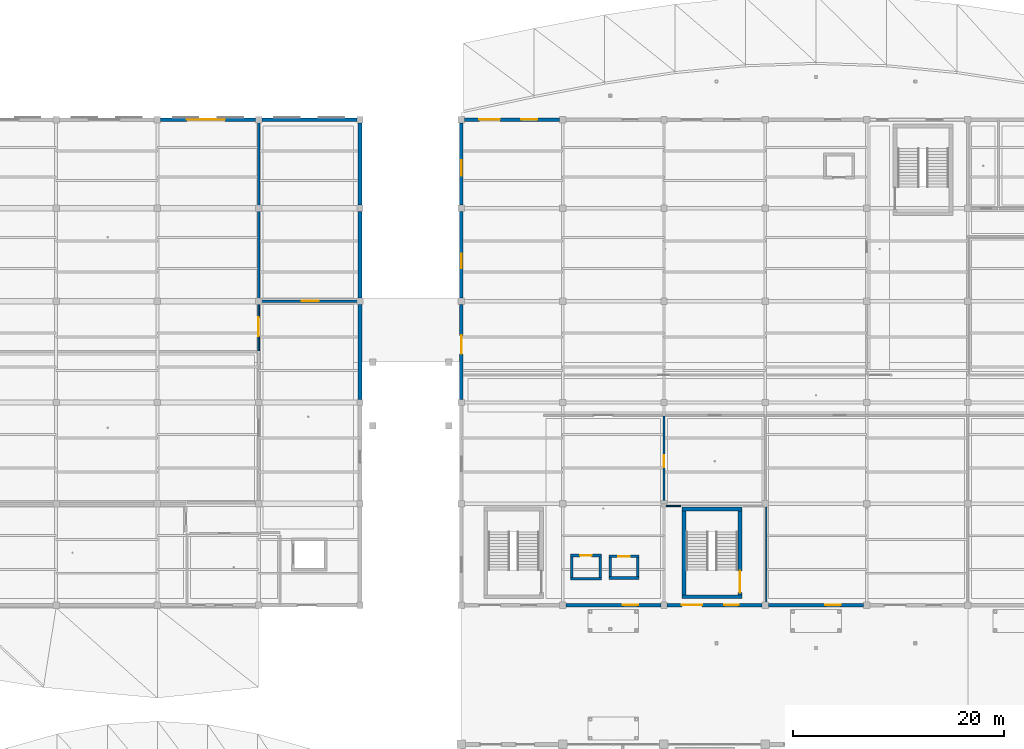
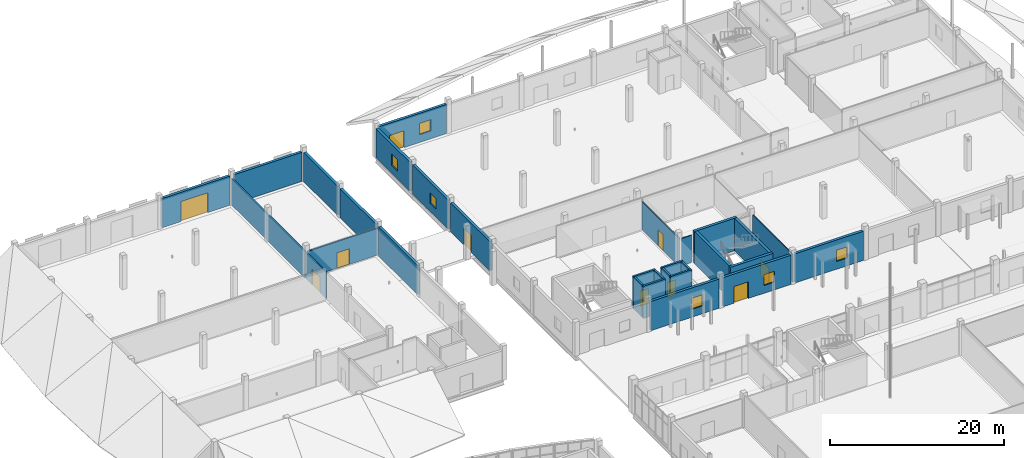
# One storey, part 82 of 116: 30 walls, 10 doors, 6 windows, 16 openings.
"""IFC4 building model written with IfcOpenShell, lengths in metres."""

from ifc_helpers import new_model, si_unit, direction, frame, frame_2d, origin, place, context, subcontext, project, spatial, rectangle, extrude, material, layer, layer_set, type_object, element, fill, save


model = new_model("IFC4")

# Units and contexts
model_context = context("Model", 3, precision=1e-05, world=origin(), true_north=direction((0.0, 1.0)))
body_context = subcontext(model_context, "Body", "Model", "MODEL_VIEW")
ifc_project = project(units=[si_unit("LENGTHUNIT", "METRE"), si_unit("AREAUNIT", "SQUARE_METRE"), si_unit("VOLUMEUNIT", "CUBIC_METRE"), si_unit("PLANEANGLEUNIT", "RADIAN"), si_unit("MASSUNIT", "GRAM", prefix="KILO")], contexts=[model_context])

# Site, building, storey
site_placement = place(None, origin())
site = spatial("IfcSite", under=ifc_project, at=site_placement, CompositionType="ELEMENT")
building_placement = place(site_placement, origin())
building = spatial("IfcBuilding", under=site, at=building_placement, Name="Chalmorin Arch Market", CompositionType="ELEMENT")
storey_placement = place(building_placement, origin())
storey = spatial("IfcBuildingStorey", under=building, at=storey_placement, Name="L00", CompositionType="ELEMENT", Elevation=0.0)

# Walls
ifc_material_1 = material(Name="Concrete C40/50", Category="concrete")
ifc_layer_1 = layer(ifc_material_1, 0.35009765625)
ifc_layer_set_1 = layer_set([ifc_layer_1], Name="Concrete C40/50")
wall_type_1 = type_object("IfcWallType", Name="CoreShearWall-350", PredefinedType="SHEAR", material=ifc_layer_set_1)
for number, where, z_axis, x_axis, name in (
    (1, (74.574951171875, 72.800048828125, 0.0), (0.0, 0.0, 1.0), (-1.0, 0.0, 0.0), "CSW-350-109"),
    (2, (68.925048828125, 81.10009765625, 0.0), (0.0, 0.0, 1.0), (1.0, 0.0, 0.0), "CSW-350-110"),
):
    element("IfcWall", number, at=place(storey_placement, frame(where, z_axis=z_axis, x_axis=x_axis)), inside=storey, type_object=wall_type_1, Name=name, PredefinedType="SHEAR", context=body_context, shape_type="SweptSolid", body=[
        extrude(rectangle(XDim=5.64990234375, YDim=0.35009765625, at=frame_2d((2.824951171875, 0.0))), origin(), (0.0, 0.0, 1.0), 4.550048828125),
    ])
wall_1_placement = place(storey_placement, frame((69.10009765625, 72.97509765625, 0.0), z_axis=(0.0, 0.0, 1.0), x_axis=(0.0, 1.0, 0.0)))
element("IfcWall", 3, at=wall_1_placement, inside=storey, type_object=wall_type_1, Name="CSW-350-111", PredefinedType="SHEAR", context=body_context, shape_type="SweptSolid", body=[
    extrude(rectangle(XDim=7.949951171875, YDim=0.35009765625, at=frame_2d((3.97509765625, 0.0))), origin(), (0.0, 0.0, 1.0), 4.550048828125),
])

# Wall, opening, door
wall_2_placement = place(storey_placement, frame((74.39990234375, 80.925048828125, 0.0), z_axis=(0.0, 0.0, 1.0), x_axis=(0.0, -1.0, 0.0)))
wall_2 = element("IfcWall", 4, at=wall_2_placement, inside=storey, type_object=wall_type_1, Name="CSW-350-112", PredefinedType="SHEAR", context=body_context, shape_type="SweptSolid", body=[
    extrude(rectangle(XDim=7.949951171875, YDim=0.35009765625, at=frame_2d((3.97509765625, 0.0))), origin(), (0.0, 0.0, 1.0), 4.550048828125),
])
opening_1_placement = place(wall_2_placement, frame((5.679931640625, 0.0, 0.0)))
opening_1 = element("IfcOpeningElement", 5, at=opening_1_placement, cuts=wall_2, Name="Opening FD-SC7-L00", PredefinedType="OPENING", context=body_context, shape_type="SweptSolid", body=[
    extrude(rectangle(XDim=2.050048828125, YDim=2.14990234375, at=frame_2d((1.02490234375, 1.074951171875))), frame((0.0, 0.18505859375, 0.0), z_axis=(0.0, -1.0, 0.0), x_axis=(1.0, 0.0, 0.0)), (0.0, 0.0, 1.0), 0.3701171875),
])
ifc_material_2 = material(Name="Galvanised Steel", Category="steel")
door_type_1 = type_object("IfcDoorType", Name="DoubleFireExitDoor-2050x2150", OperationType="DOUBLE_DOOR_SINGLE_SWING", PredefinedType="DOOR", material=ifc_material_2)
door_1_placement = place(opening_1_placement, origin())
door_1 = element("IfcDoor", 6, at=door_1_placement, inside=storey, type_object=door_type_1, Name="FD-SC7-L00", OperationType="DOUBLE_DOOR_SINGLE_SWING", OverallHeight=2.14990234375, OverallWidth=2.050048828125, PredefinedType="DOOR", context=body_context, shape_type="SweptSolid", body=[
    extrude(rectangle(XDim=2.050048828125, YDim=2.14990234375, at=frame_2d((1.02490234375, 1.074951171875))), frame((0.0, 0.02490234375, 0.0), z_axis=(0.0, -1.0, 0.0), x_axis=(1.0, 0.0, 0.0)), (0.0, 0.0, 1.0), 0.050048828125),
])
fill(opening_1, door_1)

ifc_material_3 = material(Name="Gypsum Board Partition")
ifc_layer_2 = layer(ifc_material_3, 0.159912109375)
ifc_layer_set_2 = layer_set([ifc_layer_2], Name="Gypsum Board Partition")
wall_type_2 = type_object("IfcWallType", Name="CorridorRatedPartition-160", PredefinedType="PARTITIONING", material=ifc_layer_set_2)
wall_3_placement = place(storey_placement, frame((28.800048828125, 96.10009765625, 0.0), z_axis=(0.0, 0.0, 1.0), x_axis=(0.0, 1.0, 0.0)))
wall_3 = element("IfcWall", 7, at=wall_3_placement, inside=storey, type_object=wall_type_2, Name="CRP-160-434", PredefinedType="PARTITIONING", context=body_context, shape_type="SweptSolid", body=[
    extrude(rectangle(XDim=4.599853515625, YDim=0.159912109375, at=frame_2d((2.2998046875, 0.0))), origin(), (0.0, 0.0, 1.0), 3.68994140625),
])
opening_2_placement = place(wall_3_placement, frame((1.39990234375, 0.0, 0.0)))
opening_2 = element("IfcOpeningElement", 8, at=opening_2_placement, cuts=wall_3, Name="Opening ID-124", PredefinedType="OPENING", context=body_context, shape_type="SweptSolid", body=[
    extrude(rectangle(XDim=1.800048828125, YDim=2.14990234375, at=frame_2d((0.89990234375, 1.074951171875))), frame((0.0, 0.08984375, 0.0), z_axis=(0.0, -1.0, 0.0), x_axis=(1.0, 0.0, 0.0)), (0.0, 0.0, 1.0), 0.179931640625),
])
door_type_2 = type_object("IfcDoorType", Name="CorridorFireDoubleDoor-1800x2150", OperationType="DOUBLE_DOOR_SINGLE_SWING", PredefinedType="DOOR", material=ifc_material_2)
door_2_placement = place(opening_2_placement, origin())
door_2 = element("IfcDoor", 9, at=door_2_placement, inside=storey, type_object=door_type_2, Name="ID-124", OperationType="DOUBLE_DOOR_SINGLE_SWING", OverallHeight=2.14990234375, OverallWidth=1.800048828125, PredefinedType="DOOR", context=body_context, shape_type="SweptSolid", body=[
    extrude(rectangle(XDim=1.800048828125, YDim=2.14990234375, at=frame_2d((0.89990234375, 1.074951171875))), frame((0.0, 0.02490234375, 0.0), z_axis=(0.0, -1.0, 0.0), x_axis=(1.0, 0.0, 0.0)), (0.0, 0.0, 1.0), 0.050048828125),
])
fill(opening_2, door_2)

wall_4_placement = place(storey_placement, frame((67.199951171875, 81.39990234375, 0.0), z_axis=(0.0, 0.0, 1.0), x_axis=(0.0, 1.0, 0.0)))
wall_4 = element("IfcWall", 10, at=wall_4_placement, inside=storey, type_object=wall_type_2, Name="CRP-160-440", PredefinedType="PARTITIONING", context=body_context, shape_type="SweptSolid", body=[
    extrude(rectangle(XDim=8.5, YDim=0.159912109375, at=frame_2d((4.25, 0.0))), origin(), (0.0, 0.0, 1.0), 3.919921875),
])
opening_3_placement = place(wall_4_placement, frame((3.675048828125, 0.0, 0.0)))
opening_3 = element("IfcOpeningElement", 11, at=opening_3_placement, cuts=wall_4, Name="Opening ID-127", PredefinedType="OPENING", context=body_context, shape_type="SweptSolid", body=[
    extrude(rectangle(XDim=1.14990234375, YDim=2.199951171875, at=frame_2d((0.574951171875, 1.10009765625))), frame((0.0, 0.08984375, 0.0), z_axis=(0.0, -1.0, 0.0), x_axis=(1.0, 0.0, 0.0)), (0.0, 0.0, 1.0), 0.179931640625),
])
door_type_3 = type_object("IfcDoorType", Name="WorkshopHeavyDoor-1150x2200", OperationType="NOTDEFINED", PredefinedType="DOOR", material=ifc_material_2)
door_3_placement = place(opening_3_placement, origin())
door_3 = element("IfcDoor", 12, at=door_3_placement, inside=storey, type_object=door_type_3, Name="ID-127", OperationType="SINGLE_SWING_LEFT", OverallHeight=2.199951171875, OverallWidth=1.14990234375, PredefinedType="DOOR", context=body_context, shape_type="SweptSolid", body=[
    extrude(rectangle(XDim=1.14990234375, YDim=2.199951171875, at=frame_2d((0.574951171875, 1.10009765625))), frame((0.0, 0.02490234375, 0.0), z_axis=(0.0, -1.0, 0.0), x_axis=(1.0, 0.0, 0.0)), (0.0, 0.0, 1.0), 0.050048828125),
])
fill(opening_3, door_3)

# Walls
ifc_material_4 = material(Name="Powder-coated Aluminium Panel", Category="aluminium")
ifc_layer_3 = layer(ifc_material_4, 0.125)
ifc_layer_set_3 = layer_set([ifc_layer_3], Name="Powder-coated Aluminium Panel")
wall_type_3 = type_object("IfcWallType", Name="DemountableStudStallPartition-125", PredefinedType="PARTITIONING", material=ifc_layer_set_3)
wall_5_placement = place(storey_placement, frame((67.43994140625, 81.39990234375, 0.0), z_axis=(0.0, 0.0, 1.0), x_axis=(1.0, 0.0, 0.0)))
element("IfcWall", 13, at=wall_5_placement, inside=storey, type_object=wall_type_3, Name="DSP-125-470", PredefinedType="PARTITIONING", context=body_context, shape_type="SweptSolid", body=[
    extrude(rectangle(XDim=1.344970703125, YDim=0.125, at=frame_2d((0.67236328125, 0.0))), origin(), (0.0, 0.0, 1.0), 3.841064453125),
])
wall_6_placement = place(storey_placement, frame((76.89990234375, 72.050048828125, 0.0), z_axis=(0.0, 0.0, 1.0), x_axis=(0.0, 1.0, 0.0)))
element("IfcWall", 14, at=wall_6_placement, inside=storey, type_object=wall_type_3, Name="DSP-125-472", PredefinedType="PARTITIONING", context=body_context, shape_type="SweptSolid", body=[
    extrude(rectangle(XDim=9.2099609375, YDim=0.125, at=frame_2d((4.60498046875, 0.0))), origin(), (0.0, 0.0, 1.0), 3.919921875),
])
ifc_material_5 = material(Name="Concrete C30/37", Category="concrete")
ifc_layer_4 = layer(ifc_material_5, 0.199951171875)
ifc_layer_set_4 = layer_set([ifc_layer_4], Name="Concrete C30/37")
wall_type_4 = type_object("IfcWallType", Name="FireCompartmentWall-200", PredefinedType="PARTITIONING", material=ifc_layer_set_4)
wall_7_placement = place(storey_placement, frame((28.800048828125, 100.89990234375, 0.0), z_axis=(0.0, 0.0, 1.0), x_axis=(0.0, 1.0, 0.0)))
element("IfcWall", 15, at=wall_7_placement, inside=storey, type_object=wall_type_4, Name="FCW-200-433", PredefinedType="PARTITIONING", context=body_context, shape_type="SweptSolid", body=[
    extrude(rectangle(XDim=17.050048828125, YDim=0.199951171875, at=frame_2d((8.52490234375, 0.0))), origin(), (0.0, 0.0, 1.0), 3.68994140625),
])

# Wall, opening, door
wall_8_placement = place(storey_placement, frame((29.0, 100.800048828125, 0.0), z_axis=(0.0, 0.0, 1.0), x_axis=(1.0, 0.0, 0.0)))
wall_8 = element("IfcWall", 16, at=wall_8_placement, inside=storey, type_object=wall_type_4, Name="FCW-200-439", PredefinedType="PARTITIONING", context=body_context, shape_type="SweptSolid", body=[
    extrude(rectangle(XDim=9.35009765625, YDim=0.199951171875, at=frame_2d((4.675048828125, 0.0))), origin(), (0.0, 0.0, 1.0), 3.75),
])
opening_4_placement = place(wall_8_placement, frame((3.875, 0.0, 0.0)))
opening_4 = element("IfcOpeningElement", 17, at=opening_4_placement, cuts=wall_8, Name="Opening ID-126", PredefinedType="OPENING", context=body_context, shape_type="SweptSolid", body=[
    extrude(rectangle(XDim=1.60009765625, YDim=2.199951171875, at=frame_2d((0.800048828125, 1.10009765625))), frame((0.0, 0.10986328125, 0.0), z_axis=(0.0, -1.0, 0.0), x_axis=(1.0, 0.0, 0.0)), (0.0, 0.0, 1.0), 0.219970703125),
])
door_type_4 = type_object("IfcDoorType", Name="PlantRoomDoubleSteelDoor-1600x2200", OperationType="DOUBLE_DOOR_SINGLE_SWING", PredefinedType="DOOR", material=ifc_material_2)
door_4_placement = place(opening_4_placement, origin())
door_4 = element("IfcDoor", 18, at=door_4_placement, inside=storey, type_object=door_type_4, Name="ID-126", OperationType="DOUBLE_DOOR_SINGLE_SWING", OverallHeight=2.199951171875, OverallWidth=1.60009765625, PredefinedType="DOOR", context=body_context, shape_type="SweptSolid", body=[
    extrude(rectangle(XDim=1.60009765625, YDim=2.199951171875, at=frame_2d((0.800048828125, 1.10009765625))), frame((0.0, 0.02490234375, 0.0), z_axis=(0.0, -1.0, 0.0), x_axis=(1.0, 0.0, 0.0)), (0.0, 0.0, 1.0), 0.050048828125),
])
fill(opening_4, door_4)

# Wall, openings, door, window
ifc_material_6 = material(Name="Concrete C35/45", Category="concrete")
ifc_layer_5 = layer(ifc_material_6, 0.35009765625)
ifc_layer_set_5 = layer_set([ifc_layer_5], Name="Concrete C35/45")
wall_type_5 = type_object("IfcWallType", Name="PlinthPerimeterWall-350", PredefinedType="SOLIDWALL", material=ifc_layer_set_5)
wall_9_placement = place(storey_placement, frame((48.300048828125, 118.0, 0.0), z_axis=(0.0, 0.0, 1.0), x_axis=(1.0, 0.0, 0.0)))
wall_9 = element("IfcWall", 19, at=wall_9_placement, inside=storey, type_object=wall_type_5, Name="PPW-350-179", PredefinedType="SOLIDWALL", context=body_context, shape_type="SweptSolid", body=[
    extrude(rectangle(XDim=9.0, YDim=0.35009765625, at=frame_2d((4.5, 0.0))), origin(), (0.0, 0.0, 1.0), 4.10009765625),
])
opening_5_placement = place(wall_9_placement, frame((1.39990234375, 0.0, 0.0)))
opening_5 = element("IfcOpeningElement", 20, at=opening_5_placement, cuts=wall_9, Name="Opening ED-041", PredefinedType="OPENING", context=body_context, shape_type="SweptSolid", body=[
    extrude(rectangle(XDim=1.9599609375, YDim=2.3701171875, at=frame_2d((0.97998046875, 1.18505859375))), frame((0.0, 0.18505859375, 0.0), z_axis=(0.0, -1.0, 0.0), x_axis=(1.0, 0.0, 0.0)), (0.0, 0.0, 1.0), 0.3701171875),
])
opening_6_placement = place(wall_9_placement, frame((5.39990234375, 0.0, 1.10009765625)))
opening_6 = element("IfcOpeningElement", 21, at=opening_6_placement, cuts=wall_9, Name="Opening WN-100", PredefinedType="OPENING", context=body_context, shape_type="SweptSolid", body=[
    extrude(rectangle(XDim=1.5, YDim=1.60009765625, at=frame_2d((0.75, 0.800048828125))), frame((0.0, 0.18505859375, 0.0), z_axis=(0.0, -1.0, 0.0), x_axis=(1.0, 0.0, 0.0)), (0.0, 0.0, 1.0), 0.3701171875),
])
ifc_material_7 = material(Name="Aluminium 6063-T6", Category="aluminium")
door_type_5 = type_object("IfcDoorType", Name="DoubleStorefrontDoor-2000x2400-1960x2370", OperationType="DOUBLE_DOOR_SINGLE_SWING", PredefinedType="DOOR", material=ifc_material_7)
door_5_placement = place(opening_5_placement, origin())
door_5 = element("IfcDoor", 22, at=door_5_placement, inside=storey, type_object=door_type_5, Name="ED-041", OperationType="DOUBLE_DOOR_SINGLE_SWING", OverallHeight=2.3701171875, OverallWidth=1.9599609375, PredefinedType="DOOR", context=body_context, shape_type="SweptSolid", body=[
    extrude(rectangle(XDim=1.9599609375, YDim=2.3701171875, at=frame_2d((0.97998046875, 1.18505859375))), frame((0.0, 0.02490234375, 0.0), z_axis=(0.0, -1.0, 0.0), x_axis=(1.0, 0.0, 0.0)), (0.0, 0.0, 1.0), 0.050048828125),
])
fill(opening_5, door_5)
ifc_material_8 = material(Name="Low-E Tempered Glass", Category="glass")
window_type_1 = type_object("IfcWindowType", Name="WorkshopPunchedWindow-1500x1600", PartitioningType="SINGLE_PANEL", PredefinedType="WINDOW", material=ifc_material_8)
window_1_placement = place(opening_6_placement, origin())
window_1 = element("IfcWindow", 23, at=window_1_placement, inside=storey, type_object=window_type_1, Name="WN-100", OverallHeight=1.60009765625, OverallWidth=1.5, PartitioningType="SINGLE_PANEL", PredefinedType="WINDOW", context=body_context, shape_type="SweptSolid", body=[
    extrude(rectangle(XDim=1.5, YDim=1.60009765625, at=frame_2d((0.75, 0.800048828125))), frame((0.0, 0.030029296875, 0.0), z_axis=(0.0, -1.0, 0.0), x_axis=(1.0, 0.0, 0.0)), (0.0, 0.0, 1.0), 0.06005859375),
])
fill(opening_6, window_1)

# Wall, opening, window
wall_10_placement = place(storey_placement, frame((57.89990234375, 72.0, 0.0), z_axis=(0.0, 0.0, 1.0), x_axis=(1.0, 0.0, 0.0)))
wall_10 = element("IfcWall", 24, at=wall_10_placement, inside=storey, type_object=wall_type_5, Name="PPW-350-180", PredefinedType="SOLIDWALL", context=body_context, shape_type="SweptSolid", body=[
    extrude(rectangle(XDim=9.0, YDim=0.35009765625, at=frame_2d((4.5, 0.0))), origin(), (0.0, 0.0, 1.0), 4.10009765625),
])
opening_7_placement = place(wall_10_placement, frame((5.39990234375, 0.0, 1.10009765625)))
opening_7 = element("IfcOpeningElement", 25, at=opening_7_placement, cuts=wall_10, Name="Opening WN-101", PredefinedType="OPENING", context=body_context, shape_type="SweptSolid", body=[
    extrude(rectangle(XDim=1.4599609375, YDim=1.570068359375, at=frame_2d((0.72998046875, 0.78515625))), frame((0.0, 0.18505859375, 0.0), z_axis=(0.0, -1.0, 0.0), x_axis=(1.0, 0.0, 0.0)), (0.0, 0.0, 1.0), 0.3701171875),
])
window_type_2 = type_object("IfcWindowType", Name="WorkshopPunchedWindow-1500x1600-1460x1570", PartitioningType="SINGLE_PANEL", PredefinedType="WINDOW", material=ifc_material_8)
window_2_placement = place(opening_7_placement, origin())
window_2 = element("IfcWindow", 26, at=window_2_placement, inside=storey, type_object=window_type_2, Name="WN-101", OverallHeight=1.570068359375, OverallWidth=1.4599609375, PartitioningType="SINGLE_PANEL", PredefinedType="WINDOW", context=body_context, shape_type="SweptSolid", body=[
    extrude(rectangle(XDim=1.4599609375, YDim=1.570068359375, at=frame_2d((0.72998046875, 0.78515625))), frame((0.0, 0.030029296875, 0.0), z_axis=(0.0, -1.0, 0.0), x_axis=(1.0, 0.0, 0.0)), (0.0, 0.0, 1.0), 0.06005859375),
])
fill(opening_7, window_2)

# Wall, openings, door, window
wall_11_placement = place(storey_placement, frame((67.5, 72.0, 0.0), z_axis=(0.0, 0.0, 1.0), x_axis=(1.0, 0.0, 0.0)))
wall_11 = element("IfcWall", 27, at=wall_11_placement, inside=storey, type_object=wall_type_5, Name="PPW-350-182", PredefinedType="SOLIDWALL", context=body_context, shape_type="SweptSolid", body=[
    extrude(rectangle(XDim=9.0, YDim=0.35009765625, at=frame_2d((4.5, 0.0))), origin(), (0.0, 0.0, 1.0), 4.10009765625),
])
opening_8_placement = place(wall_11_placement, frame((1.39990234375, 0.0, 0.0)))
opening_8 = element("IfcOpeningElement", 28, at=opening_8_placement, cuts=wall_11, Name="Opening ED-042", PredefinedType="OPENING", context=body_context, shape_type="SweptSolid", body=[
    extrude(rectangle(XDim=1.919921875, YDim=2.340087890625, at=frame_2d((0.9599609375, 1.169921875))), frame((0.0, 0.18505859375, 0.0), z_axis=(0.0, -1.0, 0.0), x_axis=(1.0, 0.0, 0.0)), (0.0, 0.0, 1.0), 0.3701171875),
])
opening_9_placement = place(wall_11_placement, frame((5.39990234375, 0.0, 1.10009765625)))
opening_9 = element("IfcOpeningElement", 29, at=opening_9_placement, cuts=wall_11, Name="Opening WN-103", PredefinedType="OPENING", context=body_context, shape_type="SweptSolid", body=[
    extrude(rectangle(XDim=1.3798828125, YDim=1.510009765625, at=frame_2d((0.68994140625, 0.7548828125))), frame((0.0, 0.18505859375, 0.0), z_axis=(0.0, -1.0, 0.0), x_axis=(1.0, 0.0, 0.0)), (0.0, 0.0, 1.0), 0.3701171875),
])
door_type_6 = type_object("IfcDoorType", Name="DoubleStorefrontDoor-2000x2400-1920x2340", OperationType="DOUBLE_DOOR_SINGLE_SWING", PredefinedType="DOOR", material=ifc_material_7)
door_6_placement = place(opening_8_placement, origin())
door_6 = element("IfcDoor", 30, at=door_6_placement, inside=storey, type_object=door_type_6, Name="ED-042", OperationType="DOUBLE_DOOR_SINGLE_SWING", OverallHeight=2.340087890625, OverallWidth=1.919921875, PredefinedType="DOOR", context=body_context, shape_type="SweptSolid", body=[
    extrude(rectangle(XDim=1.919921875, YDim=2.340087890625, at=frame_2d((0.9599609375, 1.169921875))), frame((0.0, 0.02490234375, 0.0), z_axis=(0.0, -1.0, 0.0), x_axis=(1.0, 0.0, 0.0)), (0.0, 0.0, 1.0), 0.050048828125),
])
fill(opening_8, door_6)
window_type_3 = type_object("IfcWindowType", Name="WorkshopPunchedWindow-1500x1600-1380x1510", PartitioningType="SINGLE_PANEL", PredefinedType="WINDOW", material=ifc_material_8)
window_3_placement = place(opening_9_placement, origin())
window_3 = element("IfcWindow", 31, at=window_3_placement, inside=storey, type_object=window_type_3, Name="WN-103", OverallHeight=1.510009765625, OverallWidth=1.3798828125, PartitioningType="SINGLE_PANEL", PredefinedType="WINDOW", context=body_context, shape_type="SweptSolid", body=[
    extrude(rectangle(XDim=1.3798828125, YDim=1.510009765625, at=frame_2d((0.68994140625, 0.7548828125))), frame((0.0, 0.030029296875, 0.0), z_axis=(0.0, -1.0, 0.0), x_axis=(1.0, 0.0, 0.0)), (0.0, 0.0, 1.0), 0.06005859375),
])
fill(opening_9, window_3)

# Wall, opening, window
wall_12_placement = place(storey_placement, frame((77.10009765625, 72.0, 0.0), z_axis=(0.0, 0.0, 1.0), x_axis=(1.0, 0.0, 0.0)))
wall_12 = element("IfcWall", 32, at=wall_12_placement, inside=storey, type_object=wall_type_5, Name="PPW-350-184", PredefinedType="SOLIDWALL", context=body_context, shape_type="SweptSolid", body=[
    extrude(rectangle(XDim=9.0, YDim=0.35009765625, at=frame_2d((4.5, 0.0))), origin(), (0.0, 0.0, 1.0), 4.10009765625),
])
opening_10_placement = place(wall_12_placement, frame((5.39990234375, 0.0, 1.10009765625)))
opening_10 = element("IfcOpeningElement", 33, at=opening_10_placement, cuts=wall_12, Name="Opening WN-105", PredefinedType="OPENING", context=body_context, shape_type="SweptSolid", body=[
    extrude(rectangle(XDim=1.4599609375, YDim=1.570068359375, at=frame_2d((0.72998046875, 0.78515625))), frame((0.0, 0.18505859375, 0.0), z_axis=(0.0, -1.0, 0.0), x_axis=(1.0, 0.0, 0.0)), (0.0, 0.0, 1.0), 0.3701171875),
])
window_4_placement = place(opening_10_placement, origin())
window_4 = element("IfcWindow", 34, at=window_4_placement, inside=storey, type_object=window_type_2, Name="WN-105", OverallHeight=1.570068359375, OverallWidth=1.4599609375, PartitioningType="SINGLE_PANEL", PredefinedType="WINDOW", context=body_context, shape_type="SweptSolid", body=[
    extrude(rectangle(XDim=1.4599609375, YDim=1.570068359375, at=frame_2d((0.72998046875, 0.78515625))), frame((0.0, 0.030029296875, 0.0), z_axis=(0.0, -1.0, 0.0), x_axis=(1.0, 0.0, 0.0)), (0.0, 0.0, 1.0), 0.06005859375),
])
fill(opening_10, window_4)

# Wall, opening, door
wall_13_placement = place(storey_placement, frame((48.0, 91.5, 0.0), z_axis=(0.0, 0.0, 1.0), x_axis=(0.0, 1.0, 0.0)))
wall_13 = element("IfcWall", 35, at=wall_13_placement, inside=storey, type_object=wall_type_5, Name="PPW-350-198", PredefinedType="SOLIDWALL", context=body_context, shape_type="SweptSolid", body=[
    extrude(rectangle(XDim=9.0, YDim=0.35009765625, at=frame_2d((4.5, 0.0))), origin(), (0.0, 0.0, 1.0), 4.10009765625),
])
opening_11_placement = place(wall_13_placement, frame((4.300048828125, 0.0, 0.0)))
opening_11 = element("IfcOpeningElement", 36, at=opening_11_placement, cuts=wall_13, Name="Opening ED-049", PredefinedType="OPENING", context=body_context, shape_type="SweptSolid", body=[
    extrude(rectangle(XDim=1.760009765625, YDim=2.3701171875, at=frame_2d((0.8798828125, 1.18505859375))), frame((0.0, 0.18505859375, 0.0), z_axis=(0.0, -1.0, 0.0), x_axis=(1.0, 0.0, 0.0)), (0.0, 0.0, 1.0), 0.3701171875),
])
door_type_7 = type_object("IfcDoorType", Name="DoubleStorefrontDoor-1800x2400-1760x2370", OperationType="DOUBLE_DOOR_SINGLE_SWING", PredefinedType="DOOR", material=ifc_material_7)
door_7_placement = place(opening_11_placement, origin())
door_7 = element("IfcDoor", 37, at=door_7_placement, inside=storey, type_object=door_type_7, Name="ED-049", OperationType="DOUBLE_DOOR_SINGLE_SWING", OverallHeight=2.3701171875, OverallWidth=1.760009765625, PredefinedType="DOOR", context=body_context, shape_type="SweptSolid", body=[
    extrude(rectangle(XDim=1.760009765625, YDim=2.3701171875, at=frame_2d((0.8798828125, 1.18505859375))), frame((0.0, 0.02490234375, 0.0), z_axis=(0.0, -1.0, 0.0), x_axis=(1.0, 0.0, 0.0)), (0.0, 0.0, 1.0), 0.050048828125),
])
fill(opening_11, door_7)

# Wall, opening, window
wall_14_placement = place(storey_placement, frame((48.0, 101.10009765625, 0.0), z_axis=(0.0, 0.0, 1.0), x_axis=(0.0, 1.0, 0.0)))
wall_14 = element("IfcWall", 38, at=wall_14_placement, inside=storey, type_object=wall_type_5, Name="PPW-350-202", PredefinedType="SOLIDWALL", context=body_context, shape_type="SweptSolid", body=[
    extrude(rectangle(XDim=8.199951171875, YDim=0.35009765625, at=frame_2d((4.10009765625, 0.0))), origin(), (0.0, 0.0, 1.0), 4.10009765625),
])
opening_12_placement = place(wall_14_placement, frame((2.800048828125, 0.0, 1.14990234375)))
opening_12 = element("IfcOpeningElement", 39, at=opening_12_placement, cuts=wall_14, Name="Opening WN-119", PredefinedType="OPENING", context=body_context, shape_type="SweptSolid", body=[
    extrude(rectangle(XDim=1.3798828125, YDim=1.510009765625, at=frame_2d((0.68994140625, 0.7548828125))), frame((0.0, 0.18505859375, 0.0), z_axis=(0.0, -1.0, 0.0), x_axis=(1.0, 0.0, 0.0)), (0.0, 0.0, 1.0), 0.3701171875),
])
window_5_placement = place(opening_12_placement, origin())
window_5 = element("IfcWindow", 40, at=window_5_placement, inside=storey, type_object=window_type_3, Name="WN-119", OverallHeight=1.510009765625, OverallWidth=1.3798828125, PartitioningType="SINGLE_PANEL", PredefinedType="WINDOW", context=body_context, shape_type="SweptSolid", body=[
    extrude(rectangle(XDim=1.3798828125, YDim=1.510009765625, at=frame_2d((0.68994140625, 0.7548828125))), frame((0.0, 0.030029296875, 0.0), z_axis=(0.0, -1.0, 0.0), x_axis=(1.0, 0.0, 0.0)), (0.0, 0.0, 1.0), 0.06005859375),
])
fill(opening_12, window_5)

wall_15_placement = place(storey_placement, frame((48.0, 109.89990234375, 0.0), z_axis=(0.0, 0.0, 1.0), x_axis=(0.0, 1.0, 0.0)))
wall_15 = element("IfcWall", 41, at=wall_15_placement, inside=storey, type_object=wall_type_5, Name="PPW-350-205", PredefinedType="SOLIDWALL", context=body_context, shape_type="SweptSolid", body=[
    extrude(rectangle(XDim=7.800048828125, YDim=0.35009765625, at=frame_2d((3.89990234375, 0.0))), origin(), (0.0, 0.0, 1.0), 4.10009765625),
])
opening_13_placement = place(wall_15_placement, frame((2.800048828125, 0.0, 1.14990234375)))
opening_13 = element("IfcOpeningElement", 42, at=opening_13_placement, cuts=wall_15, Name="Opening WN-121", PredefinedType="OPENING", context=body_context, shape_type="SweptSolid", body=[
    extrude(rectangle(XDim=1.4599609375, YDim=1.570068359375, at=frame_2d((0.72998046875, 0.78515625))), frame((0.0, 0.18505859375, 0.0), z_axis=(0.0, -1.0, 0.0), x_axis=(1.0, 0.0, 0.0)), (0.0, 0.0, 1.0), 0.3701171875),
])
window_6_placement = place(opening_13_placement, origin())
window_6 = element("IfcWindow", 43, at=window_6_placement, inside=storey, type_object=window_type_2, Name="WN-121", OverallHeight=1.570068359375, OverallWidth=1.4599609375, PartitioningType="SINGLE_PANEL", PredefinedType="WINDOW", context=body_context, shape_type="SweptSolid", body=[
    extrude(rectangle(XDim=1.4599609375, YDim=1.570068359375, at=frame_2d((0.72998046875, 0.78515625))), frame((0.0, 0.030029296875, 0.0), z_axis=(0.0, -1.0, 0.0), x_axis=(1.0, 0.0, 0.0)), (0.0, 0.0, 1.0), 0.06005859375),
])
fill(opening_13, window_6)

# Wall, opening, door
wall_16_placement = place(storey_placement, frame((19.5, 118.0, 0.0), z_axis=(0.0, 0.0, 1.0), x_axis=(1.0, 0.0, 0.0)))
wall_16 = element("IfcWall", 44, at=wall_16_placement, inside=storey, type_object=wall_type_5, Name="PPW-350-213", PredefinedType="SOLIDWALL", context=body_context, shape_type="SweptSolid", body=[
    extrude(rectangle(XDim=9.0, YDim=0.35009765625, at=frame_2d((4.5, 0.0))), origin(), (0.0, 0.0, 1.0), 4.10009765625),
])
opening_14_placement = place(wall_16_placement, frame((2.5, 0.0, 0.0)))
opening_14 = element("IfcOpeningElement", 45, at=opening_14_placement, cuts=wall_16, Name="Opening ED-056", PredefinedType="OPENING", context=body_context, shape_type="SweptSolid", body=[
    extrude(rectangle(XDim=3.60009765625, YDim=2.800048828125, at=frame_2d((1.800048828125, 1.39990234375))), frame((0.0, 0.18505859375, 0.0), z_axis=(0.0, -1.0, 0.0), x_axis=(1.0, 0.0, 0.0)), (0.0, 0.0, 1.0), 0.3701171875),
])
ifc_material_9 = material(Name="Weathering Steel A588", Category="steel")
door_type_8 = type_object("IfcDoorType", Name="ServiceYardBiFoldGate-3600x2800", OperationType="FOLDING_TO_LEFT", PredefinedType="DOOR", material=ifc_material_9)
door_8_placement = place(opening_14_placement, origin())
door_8 = element("IfcDoor", 46, at=door_8_placement, inside=storey, type_object=door_type_8, Name="ED-056", OperationType="FOLDING_TO_LEFT", OverallHeight=2.800048828125, OverallWidth=3.60009765625, PredefinedType="DOOR", context=body_context, shape_type="SweptSolid", body=[
    extrude(rectangle(XDim=3.60009765625, YDim=2.800048828125, at=frame_2d((1.800048828125, 1.39990234375))), frame((0.0, 0.02490234375, 0.0), z_axis=(0.0, -1.0, 0.0), x_axis=(1.0, 0.0, 0.0)), (0.0, 0.0, 1.0), 0.050048828125),
])
fill(opening_14, door_8)

# Walls
for number, where, z_axis, x_axis, name in (
    (47, (29.10009765625, 118.0, 0.0), (0.0, 0.0, 1.0), (1.0, 0.0, 0.0), "PPW-350-215"),
    (48, (38.39990234375, 91.5, 0.0), (0.0, 0.0, 1.0), (0.0, 1.0, 0.0), "PPW-350-221"),
):
    element("IfcWall", number, at=place(storey_placement, frame(where, z_axis=z_axis, x_axis=x_axis)), inside=storey, type_object=wall_type_5, Name=name, PredefinedType="SOLIDWALL", context=body_context, shape_type="SweptSolid", body=[
        extrude(rectangle(XDim=9.0, YDim=0.35009765625, at=frame_2d((4.5, 0.0))), origin(), (0.0, 0.0, 1.0), 4.10009765625),
    ])
wall_17_placement = place(storey_placement, frame((38.39990234375, 101.10009765625, 0.0), z_axis=(0.0, 0.0, 1.0), x_axis=(0.0, 1.0, 0.0)))
element("IfcWall", 49, at=wall_17_placement, inside=storey, type_object=wall_type_5, Name="PPW-350-223", PredefinedType="SOLIDWALL", context=body_context, shape_type="SweptSolid", body=[
    extrude(rectangle(XDim=8.199951171875, YDim=0.35009765625, at=frame_2d((4.10009765625, 0.0))), origin(), (0.0, 0.0, 1.0), 4.10009765625),
])
wall_18_placement = place(storey_placement, frame((38.39990234375, 109.89990234375, 0.0), z_axis=(0.0, 0.0, 1.0), x_axis=(0.0, 1.0, 0.0)))
element("IfcWall", 50, at=wall_18_placement, inside=storey, type_object=wall_type_5, Name="PPW-350-225", PredefinedType="SOLIDWALL", context=body_context, shape_type="SweptSolid", body=[
    extrude(rectangle(XDim=7.800048828125, YDim=0.35009765625, at=frame_2d((3.89990234375, 0.0))), origin(), (0.0, 0.0, 1.0), 4.10009765625),
])
ifc_layer_6 = layer(ifc_material_6, 0.25)
ifc_layer_set_6 = layer_set([ifc_layer_6], Name="Concrete C35/45")
wall_type_6 = type_object("IfcWallType", Name="ShaftEnclosureWall-250", PredefinedType="SOLIDWALL", material=ifc_layer_set_6)
wall_19_placement = place(storey_placement, frame((61.27490234375, 74.5, 0.0), z_axis=(0.0, 0.0, 1.0), x_axis=(-1.0, 0.0, 0.0)))
element("IfcWall", 51, at=wall_19_placement, inside=storey, type_object=wall_type_6, Name="SEW-250-178", PredefinedType="SOLIDWALL", context=body_context, shape_type="SweptSolid", body=[
    extrude(rectangle(XDim=2.949951171875, YDim=0.25, at=frame_2d((1.47509765625, 0.0))), origin(), (0.0, 0.0, 1.0), 4.550048828125),
])

# Wall, opening, door
wall_20_placement = place(storey_placement, frame((58.324951171875, 76.699951171875, 0.0), z_axis=(0.0, 0.0, 1.0), x_axis=(1.0, 0.0, 0.0)))
wall_20 = element("IfcWall", 52, at=wall_20_placement, inside=storey, type_object=wall_type_6, Name="SEW-250-179", PredefinedType="SOLIDWALL", context=body_context, shape_type="SweptSolid", body=[
    extrude(rectangle(XDim=2.949951171875, YDim=0.25, at=frame_2d((1.47509765625, 0.0))), origin(), (0.0, 0.0, 1.0), 4.550048828125),
])
opening_15_placement = place(wall_20_placement, frame((0.925048828125, 0.0, 0.0)))
opening_15 = element("IfcOpeningElement", 53, at=opening_15_placement, cuts=wall_20, Name="Opening LD-LF-FF1-L00", PredefinedType="OPENING", context=body_context, shape_type="SweptSolid", body=[
    extrude(rectangle(XDim=1.10009765625, YDim=2.14990234375, at=frame_2d((0.550048828125, 1.074951171875))), frame((0.0, 0.135009765625, 0.0), z_axis=(0.0, -1.0, 0.0), x_axis=(1.0, 0.0, 0.0)), (0.0, 0.0, 1.0), 0.27001953125),
])
ifc_material_10 = material(Name="Stainless Steel 316", Category="steel")
door_type_9 = type_object("IfcDoorType", Name="LiftLandingSlidingDoor-1100x2150", OperationType="DOUBLE_DOOR_SLIDING", PredefinedType="DOOR", material=ifc_material_10)
door_9_placement = place(opening_15_placement, origin())
door_9 = element("IfcDoor", 54, at=door_9_placement, inside=storey, type_object=door_type_9, Name="LD-LF-FF1-L00", OperationType="DOUBLE_DOOR_SLIDING", OverallHeight=2.14990234375, OverallWidth=1.10009765625, PredefinedType="DOOR", context=body_context, shape_type="SweptSolid", body=[
    extrude(rectangle(XDim=1.10009765625, YDim=2.14990234375, at=frame_2d((0.550048828125, 1.074951171875))), frame((0.0, 0.02490234375, 0.0), z_axis=(0.0, -1.0, 0.0), x_axis=(1.0, 0.0, 0.0)), (0.0, 0.0, 1.0), 0.050048828125),
])
fill(opening_15, door_9)

# Walls
for number, where, z_axis, x_axis, name in (
    (55, (58.449951171875, 74.625, 0.0), (0.0, 0.0, 1.0), (0.0, 1.0, 0.0), "SEW-250-180"),
    (56, (61.14990234375, 76.574951171875, 0.0), (0.0, 0.0, 1.0), (0.0, -1.0, 0.0), "SEW-250-181"),
):
    element("IfcWall", number, at=place(storey_placement, frame(where, z_axis=z_axis, x_axis=x_axis)), inside=storey, type_object=wall_type_6, Name=name, PredefinedType="SOLIDWALL", context=body_context, shape_type="SweptSolid", body=[
        extrude(rectangle(XDim=1.949951171875, YDim=0.25, at=frame_2d((0.97509765625, 0.0))), origin(), (0.0, 0.0, 1.0), 4.550048828125),
    ])
wall_21_placement = place(storey_placement, frame((64.824951171875, 74.574951171875, 0.0), z_axis=(0.0, 0.0, 1.0), x_axis=(-1.0, 0.0, 0.0)))
element("IfcWall", 57, at=wall_21_placement, inside=storey, type_object=wall_type_6, Name="SEW-250-266", PredefinedType="SOLIDWALL", context=body_context, shape_type="SweptSolid", body=[
    extrude(rectangle(XDim=2.849853515625, YDim=0.25, at=frame_2d((1.4248046875, 0.0))), origin(), (0.0, 0.0, 1.0), 4.550048828125),
])

# Wall, opening, door
wall_22_placement = place(storey_placement, frame((61.97509765625, 76.625, 0.0), z_axis=(0.0, 0.0, 1.0), x_axis=(1.0, 0.0, 0.0)))
wall_22 = element("IfcWall", 58, at=wall_22_placement, inside=storey, type_object=wall_type_6, Name="SEW-250-267", PredefinedType="SOLIDWALL", context=body_context, shape_type="SweptSolid", body=[
    extrude(rectangle(XDim=2.849853515625, YDim=0.25, at=frame_2d((1.4248046875, 0.0))), origin(), (0.0, 0.0, 1.0), 4.550048828125),
])
opening_16_placement = place(wall_22_placement, frame((0.875, 0.0, 0.0)))
opening_16 = element("IfcOpeningElement", 59, at=opening_16_placement, cuts=wall_22, Name="Opening LD-LF-P4-L00", PredefinedType="OPENING", context=body_context, shape_type="SweptSolid", body=[
    extrude(rectangle(XDim=1.10009765625, YDim=2.14990234375, at=frame_2d((0.550048828125, 1.074951171875))), frame((0.0, 0.135009765625, 0.0), z_axis=(0.0, -1.0, 0.0), x_axis=(1.0, 0.0, 0.0)), (0.0, 0.0, 1.0), 0.27001953125),
])
door_10_placement = place(opening_16_placement, origin())
door_10 = element("IfcDoor", 60, at=door_10_placement, inside=storey, type_object=door_type_9, Name="LD-LF-P4-L00", OperationType="DOUBLE_DOOR_SLIDING", OverallHeight=2.14990234375, OverallWidth=1.10009765625, PredefinedType="DOOR", context=body_context, shape_type="SweptSolid", body=[
    extrude(rectangle(XDim=1.10009765625, YDim=2.14990234375, at=frame_2d((0.550048828125, 1.074951171875))), frame((0.0, 0.02490234375, 0.0), z_axis=(0.0, -1.0, 0.0), x_axis=(1.0, 0.0, 0.0)), (0.0, 0.0, 1.0), 0.050048828125),
])
fill(opening_16, door_10)

# Walls
for number, where, z_axis, x_axis, name in (
    (61, (62.10009765625, 74.699951171875, 0.0), (0.0, 0.0, 1.0), (0.0, 1.0, 0.0), "SEW-250-268"),
    (62, (64.699951171875, 76.5, 0.0), (0.0, 0.0, 1.0), (0.0, -1.0, 0.0), "SEW-250-269"),
):
    element("IfcWall", number, at=place(storey_placement, frame(where, z_axis=z_axis, x_axis=x_axis)), inside=storey, type_object=wall_type_6, Name=name, PredefinedType="SOLIDWALL", context=body_context, shape_type="SweptSolid", body=[
        extrude(rectangle(XDim=1.800048828125, YDim=0.25, at=frame_2d((0.89990234375, 0.0))), origin(), (0.0, 0.0, 1.0), 4.550048828125),
    ])

save(model, "model.ifc")
